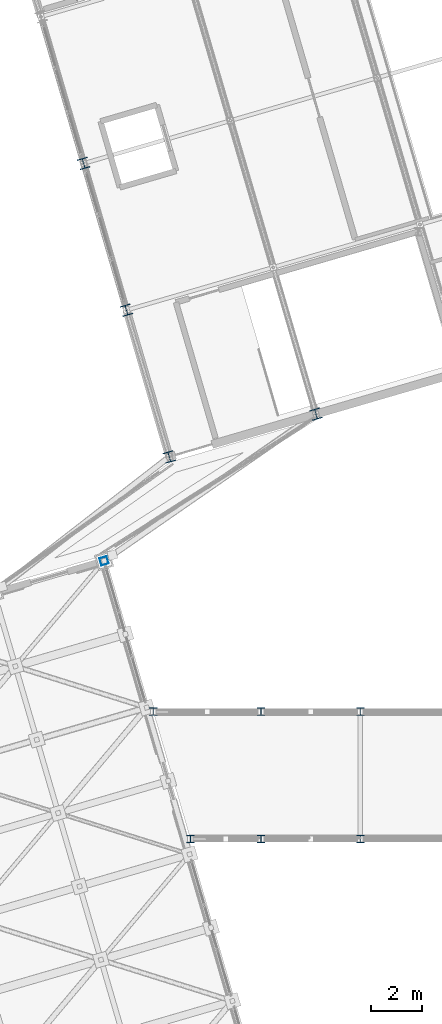
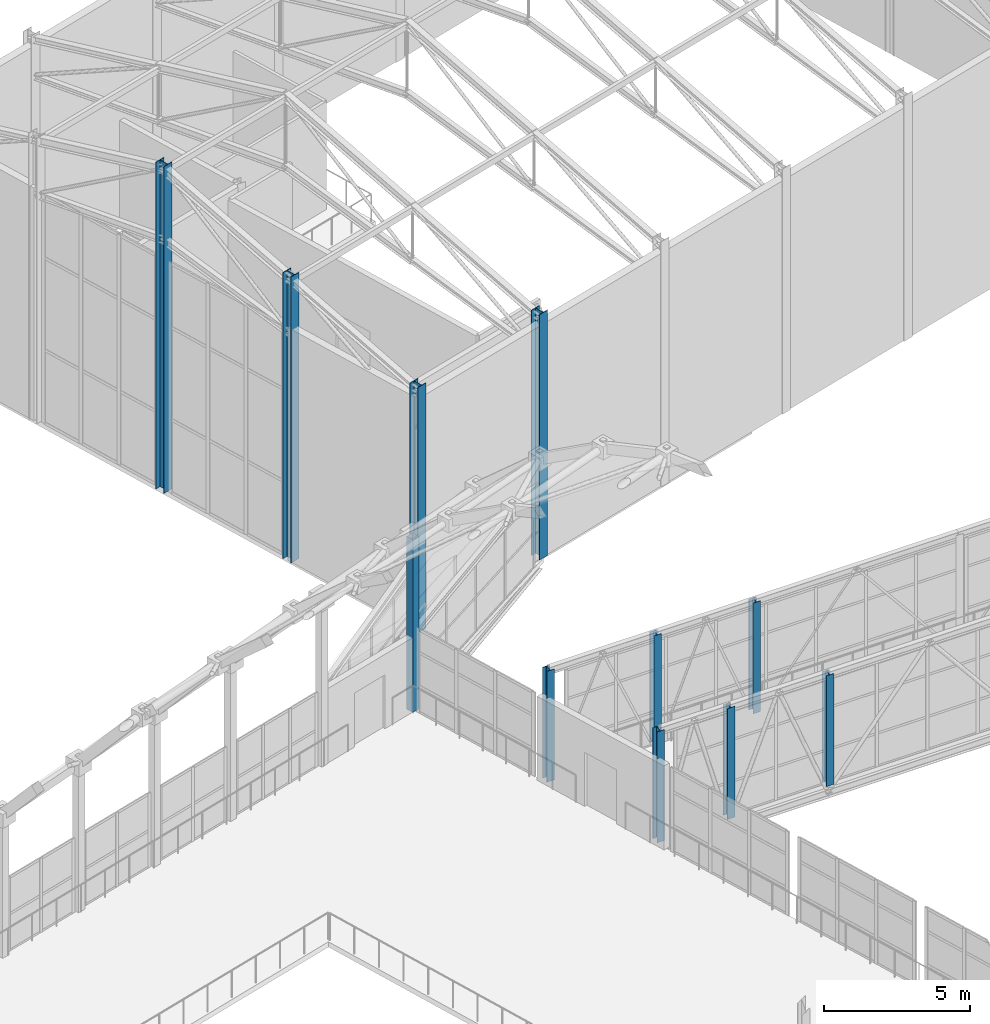
# One storey, part 10 of 248: 11 columns.
"""IFC4 building model written with IfcOpenShell, lengths in metres."""

from ifc_helpers import new_model, si_unit, direction, frame, origin, origin_2d, place, context, subcontext, project, spatial, hollow_rectangle, i_section, extrude, material, material_profile, profile_set, type_object, element, save


model = new_model("IFC4")

# Units and contexts
model_context = context("Model", 3, precision=1e-05, world=origin(), true_north=direction((0.0, 1.0)))
body_context = subcontext(model_context, "Body", "Model", "MODEL_VIEW")
ifc_project = project(units=[si_unit("LENGTHUNIT", "METRE"), si_unit("AREAUNIT", "SQUARE_METRE"), si_unit("VOLUMEUNIT", "CUBIC_METRE"), si_unit("PLANEANGLEUNIT", "RADIAN"), si_unit("MASSUNIT", "GRAM", prefix="KILO")], contexts=[model_context])

# Site, building, storey
site_placement = place(None, origin())
site = spatial("IfcSite", under=ifc_project, at=site_placement, CompositionType="ELEMENT")
building_placement = place(site_placement, origin())
building = spatial("IfcBuilding", under=site, at=building_placement, Name="Canggui Botanical Conservatory", CompositionType="ELEMENT")
storey_placement = place(building_placement, frame((0.0, 0.0, 5.39990234375)))
storey = spatial("IfcBuildingStorey", under=building, at=storey_placement, Name="L02", CompositionType="ELEMENT", Elevation=5.39990234375)

# Columns
ifc_material_1 = material(Name="Steel Q355C", Category="steel")
ifc_material_profile_1 = material_profile(ifc_material_1, hollow_rectangle(XDim=0.300048828125, YDim=0.300048828125, WallThickness=0.010009765625, at=origin_2d()), Name="SHS 300x300x10")
ifc_profile_set_1 = profile_set([ifc_material_profile_1], Name="Steel Q355C")
column_type_1 = type_object("IfcColumnType", Name="COL-GZ02", PredefinedType="COLUMN", material=ifc_profile_set_1)
column_1_placement = place(storey_placement, frame((63.43994140625, 85.919921875, 0.0), z_axis=(0.0, 0.0, 1.0), x_axis=(0.960000000041, 0.279999999861, 0.0)))
element("IfcColumn", 1, at=column_1_placement, inside=storey, type_object=column_type_1, Name="Conservatory Upper Arch Pier L02 R15-V1", PredefinedType="COLUMN", context=body_context, shape_type="SweptSolid", body=[
    extrude(hollow_rectangle(XDim=0.300048828125, YDim=0.300048828125, WallThickness=0.010009765625, at=origin_2d()), origin(), (0.0, 0.0, 1.0), 7.2001953125),
])
ifc_material_2 = material(Name="Steel Q355B", Category="steel")
ifc_material_profile_2 = material_profile(ifc_material_2, i_section(OverallWidth=0.39990234375, OverallDepth=0.39990234375, WebThickness=0.012939453125, FlangeThickness=0.02099609375, FilletRadius=0.02197265625, at=origin_2d()), Name="HW 400x400x13x21")
ifc_profile_set_2 = profile_set([ifc_material_profile_2], Name="Steel Q355B")
column_type_2 = type_object("IfcColumnType", Name="COL-GZ03", PredefinedType="COLUMN", material=ifc_profile_set_2)
for number, where, z_axis, x_axis, name in (
    (2, (66.0, 90.0, 0.0), (0.0, 0.0, 1.0), (0.960000000041, 0.279999999861, 0.0), "Auditorium Upper Column L02-01"),
    (3, (71.760009765625, 91.679931640625, 0.0), (0.0, 0.0, 1.0), (0.960000000041, 0.279999999861, 0.0), "Auditorium Upper Column L02-03"),
):
    element("IfcColumn", number, at=place(storey_placement, frame(where, z_axis=z_axis, x_axis=x_axis)), inside=storey, type_object=column_type_2, Name=name, PredefinedType="COLUMN", context=body_context, shape_type="SweptSolid", body=[
        extrude(i_section(OverallWidth=0.39990234375, OverallDepth=0.39990234375, WebThickness=0.012939453125, FlangeThickness=0.02099609375, FilletRadius=0.02197265625, at=origin_2d()), origin(), (0.0, 0.0, 1.0), 10.22021484375),
    ])
column_2_placement = place(storey_placement, frame((64.320068359375, 95.760009765625, 0.0), z_axis=(0.0, 0.0, 1.0), x_axis=(0.960000000041, 0.279999999861, 0.0)))
element("IfcColumn", 4, at=column_2_placement, inside=storey, type_object=column_type_2, Name="Auditorium Upper Column L02-15", PredefinedType="COLUMN", context=body_context, shape_type="SweptSolid", body=[
    extrude(i_section(OverallWidth=0.39990234375, OverallDepth=0.39990234375, WebThickness=0.012939453125, FlangeThickness=0.02099609375, FilletRadius=0.02197265625, at=origin_2d()), origin(), (0.0, 0.0, 1.0), 11.920166015625),
])
column_3_placement = place(storey_placement, frame((62.639892578125, 101.52001953125, 0.0), z_axis=(0.0, 0.0, 1.0), x_axis=(0.960000000041, 0.279999999861, 0.0)))
element("IfcColumn", 5, at=column_3_placement, inside=storey, type_object=column_type_2, Name="Auditorium Upper Column L02-16", PredefinedType="COLUMN", context=body_context, shape_type="SweptSolid", body=[
    extrude(i_section(OverallWidth=0.39990234375, OverallDepth=0.39990234375, WebThickness=0.012939453125, FlangeThickness=0.02099609375, FilletRadius=0.02197265625, at=origin_2d()), origin(), (0.0, 0.0, 1.0), 13.6201171875),
])
ifc_material_profile_3 = material_profile(ifc_material_2, i_section(OverallWidth=0.300048828125, OverallDepth=0.300048828125, WebThickness=0.010009765625, FlangeThickness=0.014892578125, FilletRadius=0.01806640625, at=origin_2d()), Name="HW 300x300x10x15")
ifc_profile_set_3 = profile_set([ifc_material_profile_3], Name="Steel Q355B")
column_type_3 = type_object("IfcColumnType", Name="COL-GZ05", PredefinedType="COLUMN", material=ifc_profile_set_3)
for number, where, z_axis, x_axis, name in (
    (6, (73.5, 75.0, 0.0), (0.0, 0.0, 1.0), (1.0, 0.0, 0.0), "Skybridge Gallery Steel Column (73.5,75)"),
    (7, (73.5, 80.0, 0.0), (0.0, 0.0, 1.0), (1.0, 0.0, 0.0), "Skybridge Gallery Steel Column (73.5,80)"),
    (8, (66.830078125, 75.0, 0.0), (0.0, 0.0, 1.0), (1.0, 0.0, 0.0), "Skybridge Gallery Steel Column (66.83,75)"),
    (9, (65.3701171875, 80.0, 0.0), (0.0, 0.0, 1.0), (1.0, 0.0, 0.0), "Skybridge Gallery Steel Column (65.37,80)"),
    (10, (69.60009765625, 75.0, 0.0), (0.0, 0.0, 1.0), (1.0, 0.0, 0.0), "Skybridge Gallery Steel Column (69.6,75)"),
    (11, (69.60009765625, 80.0, 0.0), (0.0, 0.0, 1.0), (1.0, 0.0, 0.0), "Skybridge Gallery Steel Column (69.6,80)"),
):
    element("IfcColumn", number, at=place(storey_placement, frame(where, z_axis=z_axis, x_axis=x_axis)), inside=storey, type_object=column_type_3, Name=name, PredefinedType="COLUMN", context=body_context, shape_type="SweptSolid", body=[
        extrude(i_section(OverallWidth=0.300048828125, OverallDepth=0.300048828125, WebThickness=0.010009765625, FlangeThickness=0.014892578125, FilletRadius=0.01806640625, at=origin_2d()), origin(), (0.0, 0.0, 1.0), 4.6201171875),
    ])

save(model, "model.ifc")
